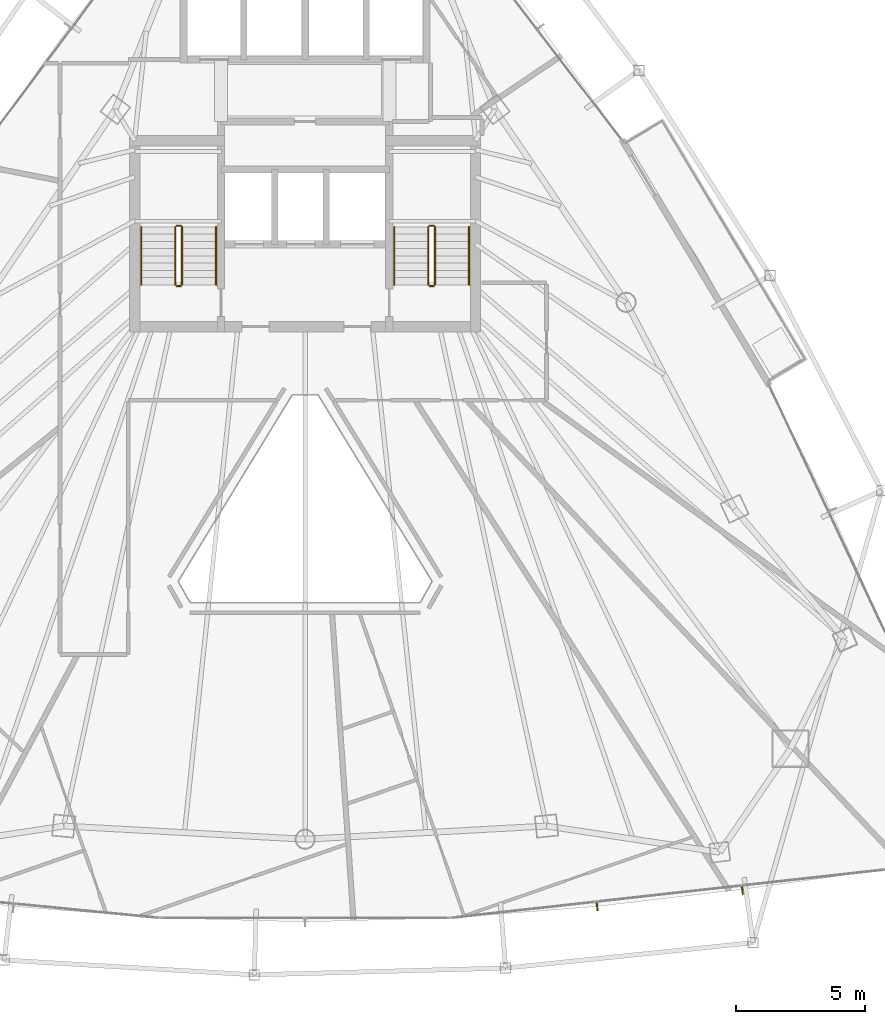
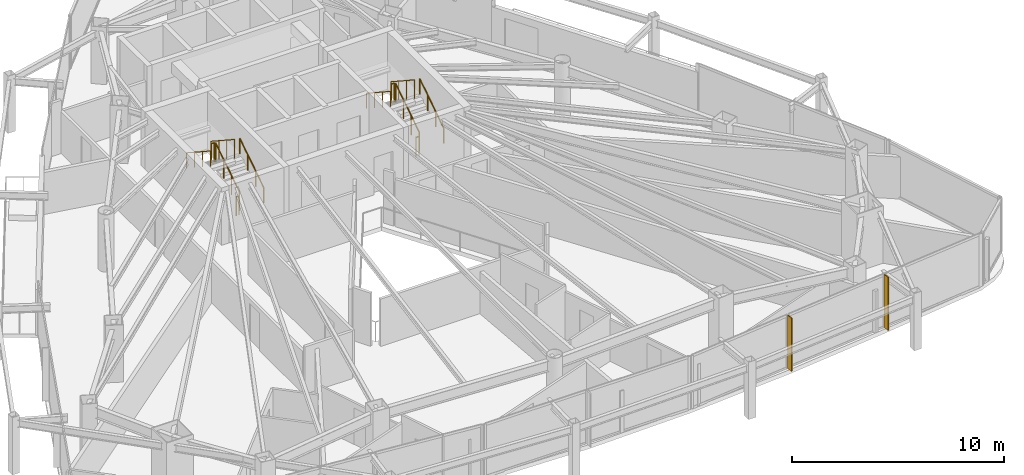
# One storey, part 28 of 29: 12 railings, 2 shading devices.
"""IFC4 building model written with IfcOpenShell, lengths in metres."""

from ifc_helpers import new_model, si_unit, direction, frame, origin, origin_2d, place, context, subcontext, project, spatial, rectangle, circle, extrude, material, layer, layer_set, type_object, element, save


model = new_model("IFC4")

# Units and contexts
model_context = context("Model", 3, precision=1e-05, world=origin(), true_north=direction((0.0, 1.0)))
body_context = subcontext(model_context, "Body", "Model", "MODEL_VIEW")
ifc_project = project(units=[si_unit("LENGTHUNIT", "METRE"), si_unit("AREAUNIT", "SQUARE_METRE"), si_unit("VOLUMEUNIT", "CUBIC_METRE"), si_unit("PLANEANGLEUNIT", "RADIAN"), si_unit("MASSUNIT", "GRAM", prefix="KILO")], contexts=[model_context])

# Site, building, storey
site_placement = place(None, origin())
site = spatial("IfcSite", under=ifc_project, at=site_placement, CompositionType="ELEMENT")
building_placement = place(site_placement, origin())
building = spatial("IfcBuilding", under=site, at=building_placement, Name="Orvanel Arch Residences", CompositionType="ELEMENT")
storey_placement = place(building_placement, frame((0.0, 0.0, 163.85009765625)))
storey = spatial("IfcBuildingStorey", under=building, at=storey_placement, Name="L46", CompositionType="ELEMENT", Elevation=163.85009765625)

# Shading devices
ifc_material_1 = material(Name="Bronze-anodised aluminium AA6063-T6", Category="aluminium")
ifc_layer = layer(ifc_material_1, 0.054931640625)
ifc_layer_set = layer_set([ifc_layer], Name="Bronze-anodised aluminium AA6063-T6")
shading_device_type = type_object("IfcShadingDeviceType", Name="FIN-BRZ-320", PredefinedType="USERDEFINED", material=ifc_layer_set)
for number, where, z_axis, x_axis, name in (
    (1, (44.31005859375, 4.235107421875, -0.000244140625), (0.0, 0.0, 1.0), (0.109734311091, -0.993960955455, 0.0), "L46 Anodised Bronze Mullion FIN 01"),
    (2, (49.93798828125, 4.862060546875, -0.000244140625), (0.0, 0.0, 1.0), (0.109734311091, -0.993960955455, 0.0), "L46 Anodised Bronze Mullion FIN 02"),
):
    element("IfcShadingDevice", number, at=place(storey_placement, frame(where, z_axis=z_axis, x_axis=x_axis)), inside=storey, type_object=shading_device_type, Name=name, ObjectType="FIN", PredefinedType="USERDEFINED", context=body_context, shape_type="SweptSolid", body=[
        extrude(rectangle(XDim=0.320068359375, YDim=0.054931640625, at=origin_2d()), origin(), (0.0, 0.0, 1.0), 3.06005859375),
    ])

# Railings
ifc_material_2 = material(Name="Structural steel AS/NZS 1163 C350L0 (Grade 350)", Category="steel")
railing_type_1 = type_object("IfcRailingType", Name="RL-STAIR-GUARD", PredefinedType="GUARDRAIL", material=ifc_material_2)
railing_1_placement = place(storey_placement, frame((28.22998046875, 28.320068359375, 0.183349609375)))
element("IfcRailing", 3, at=railing_1_placement, inside=storey, type_object=railing_type_1, Name="L46 ST-1 stair guard 1", PredefinedType="GUARDRAIL", context=body_context, shape_type="SweptSolid", body=[
    extrude(circle(Radius=0.02392578125, at=origin_2d()), frame((0.0, 0.001220703125, 1.076904296875), z_axis=(0.0, 0.836636935527, 0.547757827979), x_axis=(-1.0, 0.0, 0.0)), (0.0, 0.0, 1.0), 2.67431640625),
    extrude(circle(Radius=0.02099609375, at=origin_2d()), origin(), (0.0, 0.0, 1.0), 1.050048828125),
    extrude(circle(Radius=0.02099609375, at=origin_2d()), frame((0.0, 0.74658203125, 0.48876953125)), (0.0, 0.0, 1.0), 1.050048828125),
    extrude(circle(Radius=0.02099609375, at=origin_2d()), frame((0.0, 1.493408203125, 0.977783203125)), (0.0, 0.0, 1.0), 1.050048828125),
    extrude(circle(Radius=0.02099609375, at=origin_2d()), frame((0.0, 2.239990234375, 1.466552734375)), (0.0, 0.0, 1.0), 1.050048828125),
])
railing_2_placement = place(storey_placement, frame((28.179931640625, 30.610107421875, 1.64990234375)))
element("IfcRailing", 4, at=railing_2_placement, inside=storey, type_object=railing_type_1, Name="L46 ST-1 stair guard 2", PredefinedType="GUARDRAIL", context=body_context, shape_type="SweptSolid", body=[
    extrude(circle(Radius=0.02392578125, at=origin_2d()), frame((-0.00146484375, 0.0, 1.076171875), z_axis=(-1.0, 0.0, 0.0), x_axis=(0.0, -1.0, 0.0)), (0.0, 0.0, 1.0), 0.156982421875),
    extrude(circle(Radius=0.02099609375, at=origin_2d()), origin(), (0.0, 0.0, 1.0), 1.050048828125),
    extrude(circle(Radius=0.02099609375, at=origin_2d()), frame((-0.159912109375, 0.0, 0.0)), (0.0, 0.0, 1.0), 1.050048828125),
])
railing_3_placement = place(storey_placement, frame((27.969970703125, 30.56005859375, 1.833251953125)))
element("IfcRailing", 5, at=railing_3_placement, inside=storey, type_object=railing_type_1, Name="L46 ST-1 stair guard 3", PredefinedType="GUARDRAIL", context=body_context, shape_type="SweptSolid", body=[
    extrude(circle(Radius=0.02392578125, at=origin_2d()), frame((0.0, -0.001220703125, 1.076904296875), z_axis=(0.0, -0.836636935527, 0.547757827979), x_axis=(1.0, 0.0, 0.0)), (0.0, 0.0, 1.0), 2.67431640625),
    extrude(circle(Radius=0.02099609375, at=origin_2d()), origin(), (0.0, 0.0, 1.0), 1.050048828125),
    extrude(circle(Radius=0.02099609375, at=origin_2d()), frame((0.0, -0.74658203125, 0.48876953125)), (0.0, 0.0, 1.0), 1.050048828125),
    extrude(circle(Radius=0.02099609375, at=origin_2d()), frame((0.0, -1.493408203125, 0.977783203125)), (0.0, 0.0, 1.0), 1.050048828125),
    extrude(circle(Radius=0.02099609375, at=origin_2d()), frame((0.0, -2.239990234375, 1.466552734375)), (0.0, 0.0, 1.0), 1.050048828125),
])
railing_4_placement = place(storey_placement, frame((28.179931640625, 28.27001953125, 0.0)))
element("IfcRailing", 6, at=railing_4_placement, inside=storey, type_object=railing_type_1, Name="L46 ST-1 stair guard 4", PredefinedType="GUARDRAIL", context=body_context, shape_type="SweptSolid", body=[
    extrude(circle(Radius=0.02392578125, at=origin_2d()), frame((-0.00146484375, 0.0, 1.076171875), z_axis=(-1.0, 0.0, 0.0), x_axis=(0.0, -1.0, 0.0)), (0.0, 0.0, 1.0), 0.156982421875),
    extrude(circle(Radius=0.02099609375, at=origin_2d()), origin(), (0.0, 0.0, 1.0), 1.050048828125),
    extrude(circle(Radius=0.02099609375, at=origin_2d()), frame((-0.159912109375, 0.0, 0.0)), (0.0, 0.0, 1.0), 1.050048828125),
])
railing_5_placement = place(storey_placement, frame((38.030029296875, 28.320068359375, 0.183349609375)))
element("IfcRailing", 7, at=railing_5_placement, inside=storey, type_object=railing_type_1, Name="L46 ST-2 stair guard 1", PredefinedType="GUARDRAIL", context=body_context, shape_type="SweptSolid", body=[
    extrude(circle(Radius=0.02392578125, at=origin_2d()), frame((0.0, 0.001220703125, 1.076904296875), z_axis=(0.0, 0.836636935527, 0.547757827979), x_axis=(-1.0, 0.0, 0.0)), (0.0, 0.0, 1.0), 2.67431640625),
    extrude(circle(Radius=0.02099609375, at=origin_2d()), origin(), (0.0, 0.0, 1.0), 1.050048828125),
    extrude(circle(Radius=0.02099609375, at=origin_2d()), frame((0.0, 0.74658203125, 0.48876953125)), (0.0, 0.0, 1.0), 1.050048828125),
    extrude(circle(Radius=0.02099609375, at=origin_2d()), frame((0.0, 1.493408203125, 0.977783203125)), (0.0, 0.0, 1.0), 1.050048828125),
    extrude(circle(Radius=0.02099609375, at=origin_2d()), frame((0.0, 2.239990234375, 1.466552734375)), (0.0, 0.0, 1.0), 1.050048828125),
])
railing_6_placement = place(storey_placement, frame((37.97998046875, 30.610107421875, 1.64990234375)))
element("IfcRailing", 8, at=railing_6_placement, inside=storey, type_object=railing_type_1, Name="L46 ST-2 stair guard 2", PredefinedType="GUARDRAIL", context=body_context, shape_type="SweptSolid", body=[
    extrude(circle(Radius=0.02392578125, at=origin_2d()), frame((-0.00146484375, 0.0, 1.076171875), z_axis=(-1.0, 0.0, 0.0), x_axis=(0.0, -1.0, 0.0)), (0.0, 0.0, 1.0), 0.156982421875),
    extrude(circle(Radius=0.02099609375, at=origin_2d()), origin(), (0.0, 0.0, 1.0), 1.050048828125),
    extrude(circle(Radius=0.02099609375, at=origin_2d()), frame((-0.159912109375, 0.0, 0.0)), (0.0, 0.0, 1.0), 1.050048828125),
])
railing_7_placement = place(storey_placement, frame((37.77001953125, 30.56005859375, 1.833251953125)))
element("IfcRailing", 9, at=railing_7_placement, inside=storey, type_object=railing_type_1, Name="L46 ST-2 stair guard 3", PredefinedType="GUARDRAIL", context=body_context, shape_type="SweptSolid", body=[
    extrude(circle(Radius=0.02392578125, at=origin_2d()), frame((0.0, -0.001220703125, 1.076904296875), z_axis=(0.0, -0.836636935527, 0.547757827979), x_axis=(1.0, 0.0, 0.0)), (0.0, 0.0, 1.0), 2.67431640625),
    extrude(circle(Radius=0.02099609375, at=origin_2d()), origin(), (0.0, 0.0, 1.0), 1.050048828125),
    extrude(circle(Radius=0.02099609375, at=origin_2d()), frame((0.0, -0.74658203125, 0.48876953125)), (0.0, 0.0, 1.0), 1.050048828125),
    extrude(circle(Radius=0.02099609375, at=origin_2d()), frame((0.0, -1.493408203125, 0.977783203125)), (0.0, 0.0, 1.0), 1.050048828125),
    extrude(circle(Radius=0.02099609375, at=origin_2d()), frame((0.0, -2.239990234375, 1.466552734375)), (0.0, 0.0, 1.0), 1.050048828125),
])
railing_8_placement = place(storey_placement, frame((37.97998046875, 28.27001953125, 0.0)))
element("IfcRailing", 10, at=railing_8_placement, inside=storey, type_object=railing_type_1, Name="L46 ST-2 stair guard 4", PredefinedType="GUARDRAIL", context=body_context, shape_type="SweptSolid", body=[
    extrude(circle(Radius=0.02392578125, at=origin_2d()), frame((-0.00146484375, 0.0, 1.076171875), z_axis=(-1.0, 0.0, 0.0), x_axis=(0.0, -1.0, 0.0)), (0.0, 0.0, 1.0), 0.156982421875),
    extrude(circle(Radius=0.02099609375, at=origin_2d()), origin(), (0.0, 0.0, 1.0), 1.050048828125),
    extrude(circle(Radius=0.02099609375, at=origin_2d()), frame((-0.159912109375, 0.0, 0.0)), (0.0, 0.0, 1.0), 1.050048828125),
])
railing_type_2 = type_object("IfcRailingType", Name="RL-STAIR-HAND", PredefinedType="HANDRAIL", material=ifc_material_2)
railing_9_placement = place(storey_placement, frame((29.550048828125, 28.320068359375, 0.183349609375)))
element("IfcRailing", 11, at=railing_9_placement, inside=storey, type_object=railing_type_2, Name="L46 ST-1 stair handrail 1", PredefinedType="HANDRAIL", context=body_context, shape_type="SweptSolid", body=[
    extrude(circle(Radius=0.02392578125, at=origin_2d()), frame((0.0, 0.001220703125, 0.876708984375), z_axis=(0.0, 0.836636935527, 0.547757827979), x_axis=(-1.0, 0.0, 0.0)), (0.0, 0.0, 1.0), 2.67431640625),
    extrude(circle(Radius=0.02099609375, at=origin_2d()), origin(), (0.0, 0.0, 1.0), 0.849853515625),
    extrude(circle(Radius=0.02099609375, at=origin_2d()), frame((0.0, 0.74658203125, 0.48876953125)), (0.0, 0.0, 1.0), 0.849853515625),
    extrude(circle(Radius=0.02099609375, at=origin_2d()), frame((0.0, 1.493408203125, 0.977783203125)), (0.0, 0.0, 1.0), 0.849853515625),
    extrude(circle(Radius=0.02099609375, at=origin_2d()), frame((0.0, 2.239990234375, 1.466552734375)), (0.0, 0.0, 1.0), 0.849853515625),
])
railing_10_placement = place(storey_placement, frame((26.64990234375, 30.56005859375, 1.833251953125)))
element("IfcRailing", 12, at=railing_10_placement, inside=storey, type_object=railing_type_2, Name="L46 ST-1 stair handrail 2", PredefinedType="HANDRAIL", context=body_context, shape_type="SweptSolid", body=[
    extrude(circle(Radius=0.02392578125, at=origin_2d()), frame((0.0, -0.001220703125, 0.876708984375), z_axis=(0.0, -0.836636935527, 0.547757827979), x_axis=(1.0, 0.0, 0.0)), (0.0, 0.0, 1.0), 2.67431640625),
    extrude(circle(Radius=0.02099609375, at=origin_2d()), origin(), (0.0, 0.0, 1.0), 0.849853515625),
    extrude(circle(Radius=0.02099609375, at=origin_2d()), frame((0.0, -0.74658203125, 0.48876953125)), (0.0, 0.0, 1.0), 0.849853515625),
    extrude(circle(Radius=0.02099609375, at=origin_2d()), frame((0.0, -1.493408203125, 0.977783203125)), (0.0, 0.0, 1.0), 0.849853515625),
    extrude(circle(Radius=0.02099609375, at=origin_2d()), frame((0.0, -2.239990234375, 1.466552734375)), (0.0, 0.0, 1.0), 0.849853515625),
])
railing_11_placement = place(storey_placement, frame((39.35009765625, 28.320068359375, 0.183349609375)))
element("IfcRailing", 13, at=railing_11_placement, inside=storey, type_object=railing_type_2, Name="L46 ST-2 stair handrail 1", PredefinedType="HANDRAIL", context=body_context, shape_type="SweptSolid", body=[
    extrude(circle(Radius=0.02392578125, at=origin_2d()), frame((0.0, 0.001220703125, 0.876708984375), z_axis=(0.0, 0.836636935527, 0.547757827979), x_axis=(-1.0, 0.0, 0.0)), (0.0, 0.0, 1.0), 2.67431640625),
    extrude(circle(Radius=0.02099609375, at=origin_2d()), origin(), (0.0, 0.0, 1.0), 0.849853515625),
    extrude(circle(Radius=0.02099609375, at=origin_2d()), frame((0.0, 0.74658203125, 0.48876953125)), (0.0, 0.0, 1.0), 0.849853515625),
    extrude(circle(Radius=0.02099609375, at=origin_2d()), frame((0.0, 1.493408203125, 0.977783203125)), (0.0, 0.0, 1.0), 0.849853515625),
    extrude(circle(Radius=0.02099609375, at=origin_2d()), frame((0.0, 2.239990234375, 1.466552734375)), (0.0, 0.0, 1.0), 0.849853515625),
])
railing_12_placement = place(storey_placement, frame((36.449951171875, 30.56005859375, 1.833251953125)))
element("IfcRailing", 14, at=railing_12_placement, inside=storey, type_object=railing_type_2, Name="L46 ST-2 stair handrail 2", PredefinedType="HANDRAIL", context=body_context, shape_type="SweptSolid", body=[
    extrude(circle(Radius=0.02392578125, at=origin_2d()), frame((0.0, -0.001220703125, 0.876708984375), z_axis=(0.0, -0.836636935527, 0.547757827979), x_axis=(1.0, 0.0, 0.0)), (0.0, 0.0, 1.0), 2.67431640625),
    extrude(circle(Radius=0.02099609375, at=origin_2d()), origin(), (0.0, 0.0, 1.0), 0.849853515625),
    extrude(circle(Radius=0.02099609375, at=origin_2d()), frame((0.0, -0.74658203125, 0.48876953125)), (0.0, 0.0, 1.0), 0.849853515625),
    extrude(circle(Radius=0.02099609375, at=origin_2d()), frame((0.0, -1.493408203125, 0.977783203125)), (0.0, 0.0, 1.0), 0.849853515625),
    extrude(circle(Radius=0.02099609375, at=origin_2d()), frame((0.0, -2.239990234375, 1.466552734375)), (0.0, 0.0, 1.0), 0.849853515625),
])

save(model, "model.ifc")
